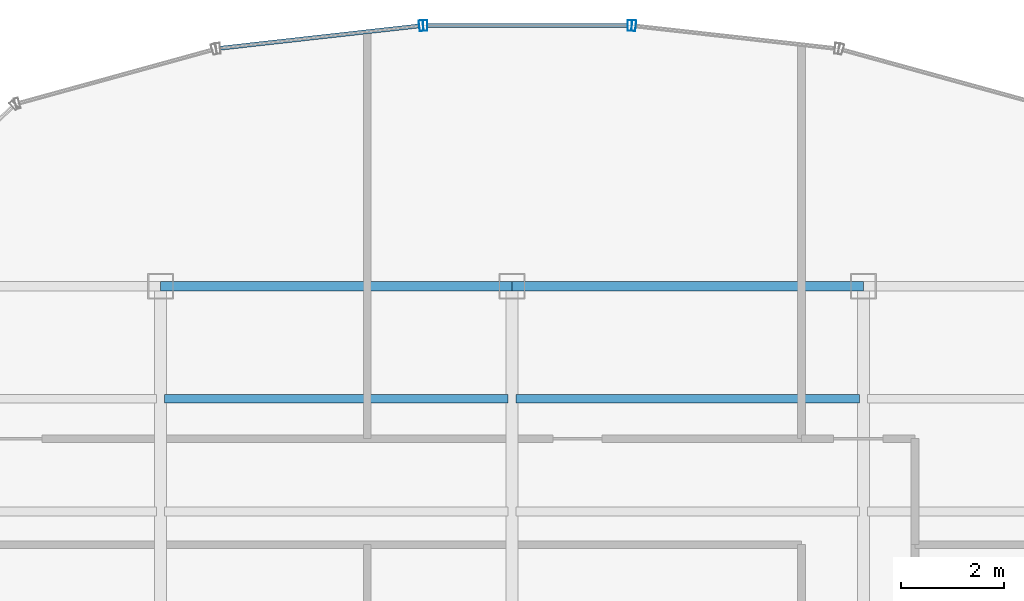
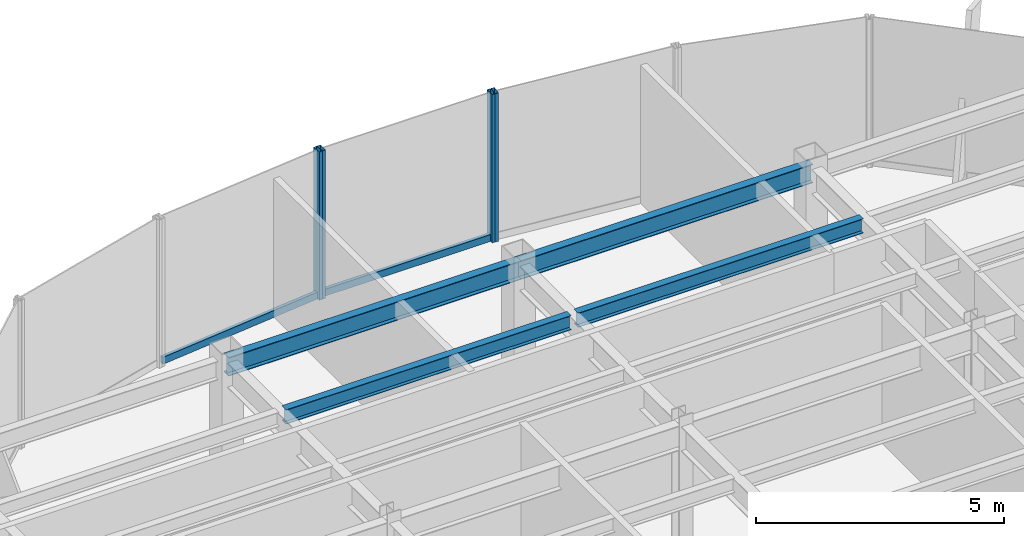
# One storey, part 13 of 22: 6 members, 4 beams, 3 elements without a shape of their own.
"""IFC4 building model written with IfcOpenShell, lengths in metres."""

from ifc_helpers import new_model, si_unit, derived_unit, direction, frame, origin, origin_2d, place, context, subcontext, project, spatial, hollow_rectangle, i_section, extrude, source, transform, mapped, material, material_profile, profile_set, type_object, element, aggregate, save


model = new_model("IFC4")

# Units and contexts
model_context = context("Model", 3, precision=1e-05, world=origin(), true_north=direction((0.0, 1.0)))
body_context = subcontext(model_context, "Body", "Model", "MODEL_VIEW")
ifc_project = project(units=[si_unit("LENGTHUNIT", "METRE"), si_unit("AREAUNIT", "SQUARE_METRE"), si_unit("VOLUMEUNIT", "CUBIC_METRE"), si_unit("PLANEANGLEUNIT", "RADIAN"), si_unit("MASSUNIT", "GRAM", prefix="KILO"), derived_unit("THERMALTRANSMITTANCEUNIT", [(si_unit("POWERUNIT", "WATT"), 1), (si_unit("LENGTHUNIT", "METRE"), -2), (si_unit("THERMODYNAMICTEMPERATUREUNIT", "KELVIN"), -1)])], contexts=[model_context])

# Site, building, storey
site_placement = place(None, origin())
site = spatial("IfcSite", under=ifc_project, at=site_placement, CompositionType="ELEMENT")
building_placement = place(site_placement, origin())
building = spatial("IfcBuilding", under=site, at=building_placement, Name="Skarnbrae Concourse Arena and Tower", CompositionType="ELEMENT")
storey_placement = place(building_placement, frame((0.0, 0.0, 203.199951171875)))
storey = spatial("IfcBuildingStorey", under=building, at=storey_placement, Name="L52", CompositionType="ELEMENT", Elevation=203.199951171875)

# Beams
ifc_material_1 = material(Name="Steel CSA G40.21 350W", Category="steel")
ifc_material_profile_1 = material_profile(ifc_material_1, i_section(OverallWidth=0.19091796875, OverallDepth=0.4599609375, WebThickness=0.010009765625, FlangeThickness=0.01611328125, at=origin_2d()), Name="W460X82")
ifc_profile_set_1 = profile_set([ifc_material_profile_1], Name="Steel CSA G40.21 350W")
beam_type_1 = type_object("IfcBeamType", Name="BM-SPAN-W460X82", PredefinedType="SPANDREL", material=ifc_profile_set_1)
shared_shape_1 = source(origin(), body_context, "Body", "SweptSolid", [
    extrude(i_section(OverallWidth=0.19091796875, OverallDepth=0.4599609375, WebThickness=0.010009765625, FlangeThickness=0.01611328125, at=origin_2d()), origin(), (0.0, 0.0, 1.0), 6.800048828125),
])
for number, where, z_axis, x_axis, name in (
    (1, (14.39990234375, 34.39990234375, 3.170166015625), (1.0, 0.0, 0.0), (0.0, 1.0, 0.0), "L52 Perimeter spandrel Y34.4-2"),
    (2, (21.199951171875, 34.39990234375, 3.170166015625), (1.0, 0.0, 0.0), (0.0, 1.0, 0.0), "L52 Perimeter spandrel Y34.4-3"),
):
    element("IfcBeam", number, at=place(storey_placement, frame(where, z_axis=z_axis, x_axis=x_axis)), inside=storey, type_object=beam_type_1, Name=name, PredefinedType="SPANDREL", context=body_context, shape_type="MappedRepresentation", body=[
        mapped(shared_shape_1, transform((0.0, 0.0, 0.0))),
    ])
ifc_material_profile_2 = material_profile(ifc_material_1, i_section(OverallWidth=0.1708984375, OverallDepth=0.35498046875, WebThickness=0.007080078125, FlangeThickness=0.01171875, at=origin_2d()), Name="W360X51")
ifc_profile_set_2 = profile_set([ifc_material_profile_2], Name="Steel CSA G40.21 350W")
beam_type_2 = type_object("IfcBeamType", Name="BM-JOIST-W360X51", PredefinedType="JOIST", material=ifc_profile_set_2)
shared_shape_2 = source(origin(), body_context, "Body", "SweptSolid", [
    extrude(i_section(OverallWidth=0.1708984375, OverallDepth=0.35498046875, WebThickness=0.007080078125, FlangeThickness=0.01171875, at=origin_2d()), origin(), (0.0, 0.0, 1.0), 6.64013671875),
])
beam_1_placement = place(storey_placement, frame((14.47998046875, 32.221923828125, 3.22265625), z_axis=(1.0, 0.0, 0.0), x_axis=(0.0, 1.0, 0.0)))
element("IfcBeam", 3, at=beam_1_placement, inside=storey, type_object=beam_type_2, Name="L52 Secondary floor joist 3.2.2", PredefinedType="JOIST", context=body_context, shape_type="MappedRepresentation", body=[
    mapped(shared_shape_2, transform((0.0, 0.0, 0.0))),
])
shared_shape_3 = source(origin(), body_context, "Body", "SweptSolid", [
    extrude(i_section(OverallWidth=0.1708984375, OverallDepth=0.35498046875, WebThickness=0.007080078125, FlangeThickness=0.01171875, at=origin_2d()), origin(), (0.0, 0.0, 1.0), 6.639892578125),
])
beam_2_placement = place(storey_placement, frame((21.280029296875, 32.221923828125, 3.22265625), z_axis=(1.0, 0.0, 0.0), x_axis=(0.0, 1.0, 0.0)))
element("IfcBeam", 4, at=beam_2_placement, inside=storey, type_object=beam_type_2, Name="L52 Secondary floor joist 3.2.3", PredefinedType="JOIST", context=body_context, shape_type="MappedRepresentation", body=[
    mapped(shared_shape_3, transform((0.0, 0.0, 0.0))),
])

# Curtain wall, member
ifc_material_2 = material(Name="Bronze anodised aluminium 6063-T6", Category="aluminium")
curtain_wall_type = type_object("IfcCurtainWallType", Name="CW-SYS-03-PORTAL", PredefinedType="USERDEFINED", material=ifc_material_2)
curtain_wall_1_placement = place(storey_placement, origin())
curtain_wall_1 = element("IfcCurtainWall", 5, at=curtain_wall_1_placement, inside=storey, type_object=curtain_wall_type, Name="L52 Unitised curtain wall CW-L52-E10", ObjectType="UNITISED CURTAIN WALL", PredefinedType="USERDEFINED")
ifc_material_profile_3 = material_profile(ifc_material_2, hollow_rectangle(XDim=0.080078125, YDim=0.2099609375, WallThickness=0.00439453125, at=origin_2d()), Name="ALU-MULL-80X210")
ifc_profile_set_3 = profile_set([ifc_material_profile_3], Name="Bronze anodised aluminium 6063-T6")
member_type_1 = type_object("IfcMemberType", Name="CWM-CW-03", PredefinedType="MULLION", material=ifc_profile_set_3)
shared_shape_4 = source(origin(), body_context, "Body", "SweptSolid", [
    extrude(hollow_rectangle(XDim=0.080078125, YDim=0.2099609375, WallThickness=0.00439453125, at=origin_2d()), origin(), (0.0, 0.0, 1.0), 3.650146484375),
])
member_1_placement = place(storey_placement, frame((23.556884765625, 39.442138671875, 0.0), z_axis=(0.0, 0.0, 1.0), x_axis=(-0.993768891873, 0.111460259941, 0.0)))
member_1 = element("IfcMember", 6, at=member_1_placement, type_object=member_type_1, Name="CW-L52-E10 Mullion 2", PredefinedType="MULLION", context=body_context, shape_type="MappedRepresentation", body=[
    mapped(shared_shape_4, transform((0.0, 0.0, 0.0))),
])
aggregate(curtain_wall_1, [member_1])

# Curtain wall, members
curtain_wall_2_placement = place(storey_placement, origin())
curtain_wall_2 = element("IfcCurtainWall", 7, at=curtain_wall_2_placement, inside=storey, type_object=curtain_wall_type, Name="L52 Unitised curtain wall CW-L52-E11", ObjectType="UNITISED CURTAIN WALL", PredefinedType="USERDEFINED")
member_2_placement = place(storey_placement, frame((23.477294921875, 39.44677734375, 0.0), z_axis=(0.0, 0.0, 1.0), x_axis=(-1.0, 0.0, 0.0)))
member_2 = element("IfcMember", 8, at=member_2_placement, type_object=member_type_1, Name="CW-L52-E11 Mullion 1", PredefinedType="MULLION", context=body_context, shape_type="MappedRepresentation", body=[
    mapped(shared_shape_4, transform((0.0, 0.0, 0.0))),
])
member_3_placement = place(storey_placement, frame((19.522705078125, 39.44677734375, 0.0), z_axis=(0.0, 0.0, 1.0), x_axis=(-1.0, 0.0, 0.0)))
member_3 = element("IfcMember", 9, at=member_3_placement, type_object=member_type_1, Name="CW-L52-E11 Mullion 2", PredefinedType="MULLION", context=body_context, shape_type="MappedRepresentation", body=[
    mapped(shared_shape_4, transform((0.0, 0.0, 0.0))),
])

curtain_wall_3_placement = place(storey_placement, origin())
curtain_wall_3 = element("IfcCurtainWall", 10, at=curtain_wall_3_placement, inside=storey, type_object=curtain_wall_type, Name="L52 Unitised curtain wall CW-L52-E12", ObjectType="UNITISED CURTAIN WALL", PredefinedType="USERDEFINED")
member_4_placement = place(storey_placement, frame((19.443115234375, 39.442138671875, 0.0), z_axis=(0.0, 0.0, 1.0), x_axis=(-0.993768891873, -0.111460259941, 0.0)))
member_4 = element("IfcMember", 11, at=member_4_placement, type_object=member_type_1, Name="CW-L52-E12 Mullion 1", PredefinedType="MULLION", context=body_context, shape_type="MappedRepresentation", body=[
    mapped(shared_shape_4, transform((0.0, 0.0, 0.0))),
])
ifc_material_profile_4 = material_profile(ifc_material_2, hollow_rectangle(XDim=0.080078125, YDim=0.169921875, WallThickness=0.00439453125, at=origin_2d()), Name="ALU-TRAN-80X170")
ifc_profile_set_4 = profile_set([ifc_material_profile_4], Name="Bronze anodised aluminium 6063-T6")
member_type_2 = type_object("IfcMemberType", Name="CWT-CW-03", PredefinedType="USERDEFINED", material=ifc_profile_set_4)
shared_shape_5 = source(origin(), body_context, "Body", "SweptSolid", [
    extrude(hollow_rectangle(XDim=0.080078125, YDim=0.169921875, WallThickness=0.00439453125, at=origin_2d()), origin(), (0.0, 0.0, 1.0), 3.873779296875),
])
member_5_placement = place(storey_placement, frame((19.4033203125, 39.437744140625, 0.0849609375), z_axis=(-0.993772558096, -0.111427567397, 0.0), x_axis=(0.111427567397, -0.993772558096, 0.0)))
member_5 = element("IfcMember", 12, at=member_5_placement, type_object=member_type_2, Name="CW-L52-E12 Transom 1", ObjectType="TRANSOM", PredefinedType="USERDEFINED", context=body_context, shape_type="MappedRepresentation", body=[
    mapped(shared_shape_5, transform((0.0, 0.0, 0.0))),
])
aggregate(curtain_wall_3, [member_4, member_5])

# Member
shared_shape_6 = source(origin(), body_context, "Body", "SweptSolid", [
    extrude(hollow_rectangle(XDim=0.080078125, YDim=0.169921875, WallThickness=0.00439453125, at=origin_2d()), origin(), (0.0, 0.0, 1.0), 3.87451171875),
])
member_6_placement = place(storey_placement, frame((23.437255859375, 39.44677734375, 0.0849609375), z_axis=(-1.0, 0.0, 0.0), x_axis=(0.0, -1.0, 0.0)))
member_6 = element("IfcMember", 13, at=member_6_placement, type_object=member_type_2, Name="CW-L52-E11 Transom 1", ObjectType="TRANSOM", PredefinedType="USERDEFINED", context=body_context, shape_type="MappedRepresentation", body=[
    mapped(shared_shape_6, transform((0.0, 0.0, 0.0))),
])

aggregate(curtain_wall_2, [member_2, member_3, member_6])

save(model, "model.ifc")
